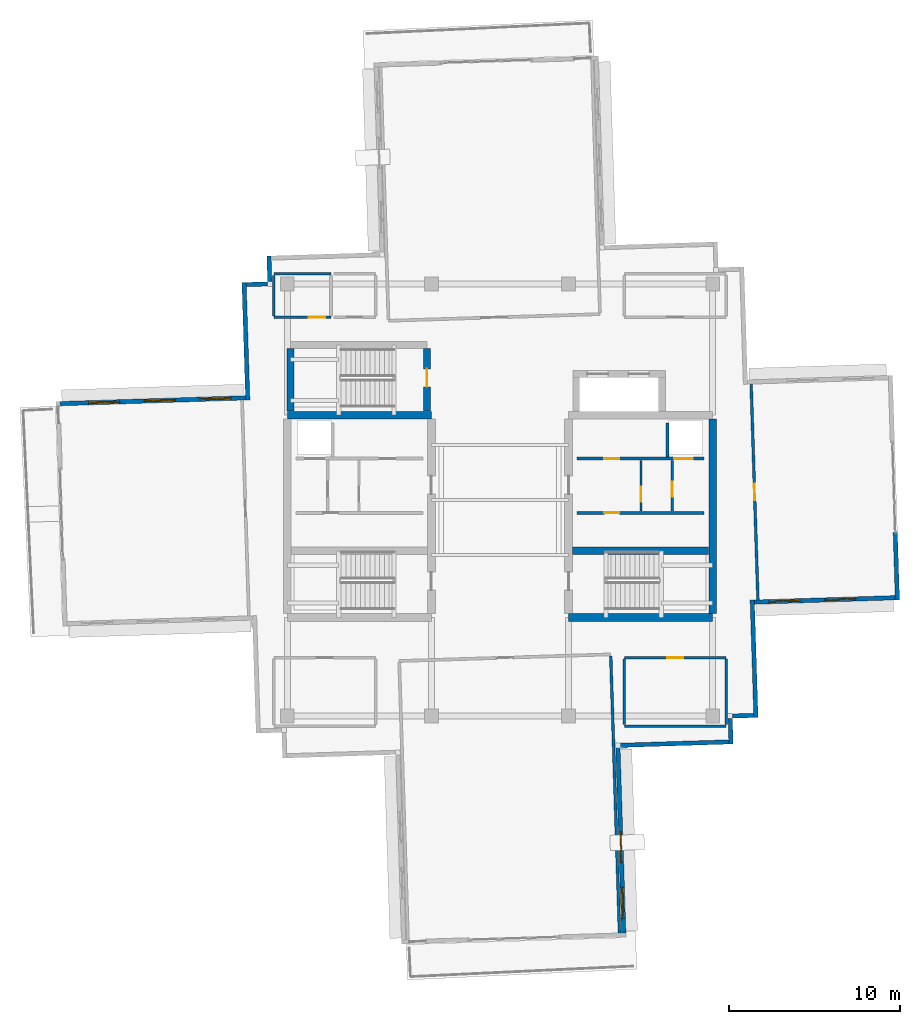
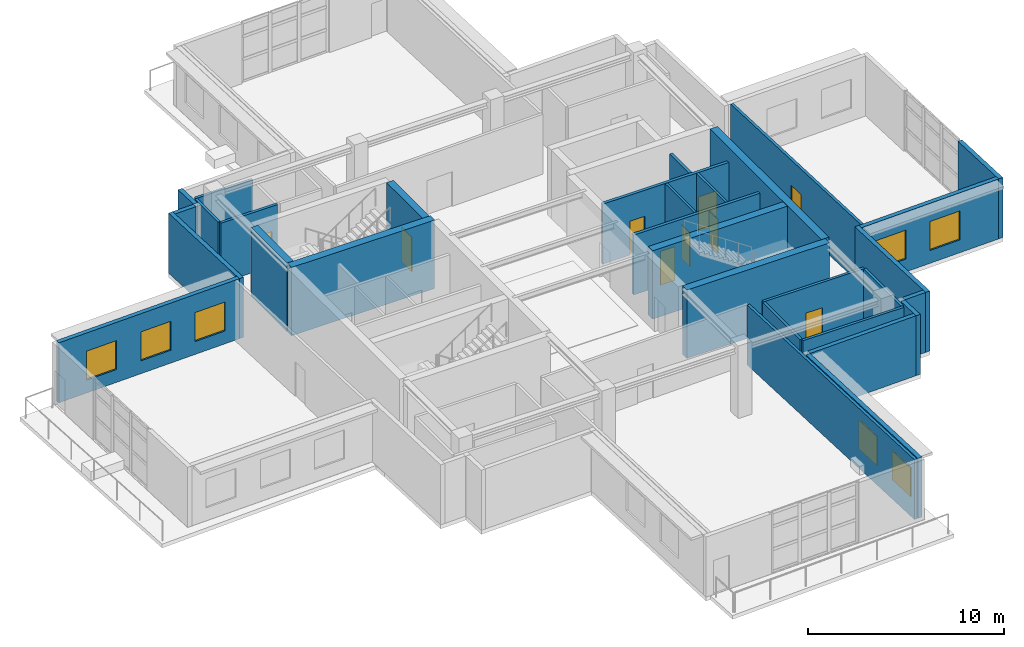
# One storey, part 11 of 18: 31 walls, 9 doors, 7 windows, 16 openings.
"""IFC4 building model written with IfcOpenShell, lengths in metres."""

from ifc_helpers import new_model, si_unit, direction, frame, frame_2d, origin, place, context, subcontext, project, spatial, rectangle, extrude, material, layer, layer_set, type_object, element, fill, save


model = new_model("IFC4")

# Units and contexts
model_context = context("Model", 3, precision=1e-05, world=origin(), true_north=direction((0.0, 1.0)))
body_context = subcontext(model_context, "Body", "Model", "MODEL_VIEW")
ifc_project = project(units=[si_unit("LENGTHUNIT", "METRE"), si_unit("AREAUNIT", "SQUARE_METRE"), si_unit("VOLUMEUNIT", "CUBIC_METRE"), si_unit("PLANEANGLEUNIT", "RADIAN"), si_unit("MASSUNIT", "GRAM", prefix="KILO")], contexts=[model_context])

# Site, building, storey
site_placement = place(None, origin())
site = spatial("IfcSite", under=ifc_project, at=site_placement, CompositionType="ELEMENT")
building_placement = place(site_placement, origin())
building = spatial("IfcBuilding", under=site, at=building_placement, Name="Qingluan Cross Belvedere", CompositionType="ELEMENT")
storey_placement = place(building_placement, frame((0.0, 0.0, 299.39990234375)))
storey = spatial("IfcBuildingStorey", under=building, at=storey_placement, Name="L74", CompositionType="ELEMENT", Elevation=299.39990234375)

# Walls
ifc_material_1 = material(Name="Concrete C50", Category="concrete")
ifc_layer_1 = layer(ifc_material_1, 0.449951171875, Name="CoreShearWall_450")
ifc_layer_set_1 = layer_set([ifc_layer_1], Name="Concrete C50")
wall_type_1 = type_object("IfcWallType", Name="CoreShearWall_450", PredefinedType="SHEAR", material=ifc_layer_set_1)
for number, where, z_axis, x_axis, name in (
    (1, (-12.39990234375, 4.949951171875, 0.0), (0.0, 0.0, 1.0), (1.0, 0.0, 0.0), "Split core W shear wall L74-N"),
    (2, (4.0, -6.85009765625, 0.0), (0.0, 0.0, 1.0), (1.0, 0.0, 0.0), "Split core E shear wall L74-S"),
):
    element("IfcWall", number, at=place(storey_placement, frame(where, z_axis=z_axis, x_axis=x_axis)), inside=storey, type_object=wall_type_1, Name=name, PredefinedType="SHEAR", context=body_context, shape_type="SweptSolid", body=[
        extrude(rectangle(XDim=8.39990234375, YDim=0.449951171875, at=frame_2d((4.199951171875, 0.0))), origin(), (0.0, 0.0, 1.0), 4.25),
    ])
wall_1_placement = place(storey_placement, frame((12.39990234375, -6.6201171875, 0.0), z_axis=(0.0, 0.0, 1.0), x_axis=(0.0, 1.0, 0.0)))
element("IfcWall", 3, at=wall_1_placement, inside=storey, type_object=wall_type_1, Name="Split core E shear wall L74-E", PredefinedType="SHEAR", context=body_context, shape_type="SweptSolid", body=[
    extrude(rectangle(XDim=11.340087890625, YDim=0.449951171875, at=frame_2d((5.669921875, 0.0))), origin(), (0.0, 0.0, 1.0), 4.25),
])
wall_2_placement = place(storey_placement, frame((4.22998046875, -2.9599609375, 0.0), z_axis=(0.0, 0.0, 1.0), x_axis=(1.0, 0.0, 0.0)))
element("IfcWall", 4, at=wall_2_placement, inside=storey, type_object=wall_type_1, Name="Split core E shear wall L74-M", PredefinedType="SHEAR", context=body_context, shape_type="SweptSolid", body=[
    extrude(rectangle(XDim=7.93994140625, YDim=0.449951171875, at=frame_2d((3.969970703125, 0.0))), origin(), (0.0, 0.0, 1.0), 4.25),
])
wall_3_placement = place(storey_placement, frame((-12.219970703125, 5.179931640625, 0.0), z_axis=(0.0, 0.0, 1.0), x_axis=(0.0, 1.0, 0.0)))
element("IfcWall", 5, at=wall_3_placement, inside=storey, type_object=wall_type_1, Name="Stair ST3 structural wall W L74", PredefinedType="SHEAR", context=body_context, shape_type="SweptSolid", body=[
    extrude(rectangle(XDim=3.655029296875, YDim=0.39990234375, at=frame_2d((1.82763671875, 0.0))), origin(), (0.0, 0.0, 1.0), 4.25),
])

# Wall, opening, door
wall_4_placement = place(storey_placement, frame((-4.260009765625, 5.179931640625, 0.0), z_axis=(0.0, 0.0, 1.0), x_axis=(0.0, 1.0, 0.0)))
wall_4 = element("IfcWall", 6, at=wall_4_placement, inside=storey, type_object=wall_type_1, Name="Stair ST3 structural wall E L74", PredefinedType="SHEAR", context=body_context, shape_type="SweptSolid", body=[
    extrude(rectangle(XDim=3.655029296875, YDim=0.39990234375, at=frame_2d((1.82763671875, 0.0))), origin(), (0.0, 0.0, 1.0), 4.25),
])
opening_1_placement = place(wall_4_placement, frame((1.419921875, 0.0, 0.0)))
opening_1 = element("IfcOpeningElement", 7, at=opening_1_placement, cuts=wall_4, Name="Opening FD-B11", PredefinedType="OPENING", context=body_context, shape_type="SweptSolid", body=[
    extrude(rectangle(XDim=1.050048828125, YDim=2.14990234375, at=frame_2d((0.52490234375, 1.074951171875))), frame((0.0, 0.2099609375, 0.0), z_axis=(0.0, -1.0, 0.0), x_axis=(1.0, 0.0, 0.0)), (0.0, 0.0, 1.0), 0.419921875),
])
ifc_material_2 = material(Name="Steel Class B smoke-seal fire door", Category="steel")
door_type_1 = type_object("IfcDoorType", Name="StairLobbyFireDoor_FDB", OperationType="NOTDEFINED", PredefinedType="DOOR", material=ifc_material_2)
door_1_placement = place(opening_1_placement, origin())
door_1 = element("IfcDoor", 8, at=door_1_placement, inside=storey, type_object=door_type_1, Name="Smoke-proof stair ST3 fire door L74", OperationType="SINGLE_SWING_RIGHT", OverallHeight=2.14990234375, OverallWidth=1.050048828125, PredefinedType="DOOR", context=body_context, shape_type="SweptSolid", body=[
    extrude(rectangle(XDim=1.050048828125, YDim=2.14990234375, at=frame_2d((0.52490234375, 1.074951171875))), frame((0.0, 0.02490234375, 0.0), z_axis=(0.0, -1.0, 0.0), x_axis=(1.0, 0.0, 0.0)), (0.0, 0.0, 1.0), 0.050048828125),
])
fill(opening_1, door_1)

ifc_material_3 = material(Name="Gypsum plasterboard on steel stud acoustic partition", Category="steel")
ifc_layer_2 = layer(ifc_material_3, 0.159912109375, Name="CorridorPartition_160")
ifc_layer_set_2 = layer_set([ifc_layer_2], Name="Gypsum plasterboard on steel stud acoustic partition")
wall_type_2 = type_object("IfcWallType", Name="CorridorPartition_160", PredefinedType="PARTITIONING", material=ifc_layer_set_2)
wall_5_placement = place(storey_placement, frame((10.050048828125, -0.652099609375, 0.0), z_axis=(0.0, 0.0, 1.0), x_axis=(0.0, 1.0, 0.0)))
wall_5 = element("IfcWall", 9, at=wall_5_placement, inside=storey, type_object=wall_type_2, Name="Partition L74:ev", PredefinedType="PARTITIONING", context=body_context, shape_type="SweptSolid", body=[
    extrude(rectangle(XDim=2.962158203125, YDim=0.139892578125, at=frame_2d((1.48095703125, 0.0))), origin(), (0.0, 0.0, 1.0), 3.72021484375),
])
opening_2_placement = place(wall_5_placement, frame((0.85009765625, 0.0, 0.0)))
opening_2 = element("IfcOpeningElement", 10, at=opening_2_placement, cuts=wall_5, Name="Opening FD-B10", PredefinedType="OPENING", context=body_context, shape_type="SweptSolid", body=[
    extrude(rectangle(XDim=0.8798828125, YDim=2.10009765625, at=frame_2d((0.43994140625, 1.050048828125))), frame((0.0, 0.079833984375, 0.0), z_axis=(0.0, -1.0, 0.0), x_axis=(1.0, 0.0, 0.0)), (0.0, 0.0, 1.0), 0.159912109375),
])
ifc_material_4 = material(Name="Steel Class B service fire door", Category="steel")
door_type_2 = type_object("IfcDoorType", Name="RiserServiceFireDoor_FDB", OperationType="NOTDEFINED", PredefinedType="DOOR", material=ifc_material_4)
door_2_placement = place(opening_2_placement, origin())
door_2 = element("IfcDoor", 11, at=door_2_placement, inside=storey, type_object=door_type_2, Name="Service closet inner door L74", OperationType="SINGLE_SWING_RIGHT", OverallHeight=2.10009765625, OverallWidth=0.8798828125, PredefinedType="DOOR", context=body_context, shape_type="SweptSolid", body=[
    extrude(rectangle(XDim=0.8798828125, YDim=2.10009765625, at=frame_2d((0.43994140625, 1.050048828125))), frame((0.0, 0.02490234375, 0.0), z_axis=(0.0, -1.0, 0.0), x_axis=(1.0, 0.0, 0.0)), (0.0, 0.0, 1.0), 0.050048828125),
])
fill(opening_2, door_2)

# Wall
wall_6_placement = place(storey_placement, frame((6.96630859375, -25.240478515625, 0.0), z_axis=(0.0, 0.0, 1.0), x_axis=(-0.031420563501, 0.999506252201, 0.0)))
element("IfcWall", 12, at=wall_6_placement, inside=storey, type_object=wall_type_2, Name="Partition L74:sky_bar_s:E", PredefinedType="PARTITIONING", context=body_context, shape_type="SweptSolid", body=[
    extrude(rectangle(XDim=16.161865234375, YDim=0.159912109375, at=frame_2d((8.0810546875, 0.0))), origin(), (0.0, 0.0, 1.0), 3.72021484375),
])

# Wall, opening, door
wall_7_placement = place(storey_placement, frame((15.040283203125, -5.8173828125, 0.0), z_axis=(0.0, 0.0, 1.0), x_axis=(-0.031415998373, 0.999506395701, 0.0)))
wall_7 = element("IfcWall", 13, at=wall_7_placement, inside=storey, type_object=wall_type_2, Name="Partition L74:vip_salon:W", PredefinedType="PARTITIONING", context=body_context, shape_type="SweptSolid", body=[
    extrude(rectangle(XDim=12.57373046875, YDim=0.159912109375, at=frame_2d((6.286865234375, 0.0))), origin(), (0.0, 0.0, 1.0), 3.72021484375),
])
opening_3_placement = place(wall_7_placement, frame((5.806884765625, 0.0, 0.0)))
opening_3 = element("IfcOpeningElement", 14, at=opening_3_placement, cuts=wall_7, Name="Opening GD-10", PredefinedType="OPENING", context=body_context, shape_type="SweptSolid", body=[
    extrude(rectangle(XDim=0.9599609375, YDim=2.14990234375, at=frame_2d((0.47998046875, 1.074951171875))), frame((0.0, 0.08984375, 0.0), z_axis=(0.0, -1.0, 0.0), x_axis=(1.0, 0.0, 0.0)), (0.0, 0.0, 1.0), 0.179931640625),
])
ifc_material_5 = material(Name="Timber oak fire-rated acoustic guestroom door", Category="wood")
door_type_3 = type_object("IfcDoorType", Name="GuestEntryDoor_FD60", OperationType="NOTDEFINED", PredefinedType="DOOR", material=ifc_material_5)
door_3_placement = place(opening_3_placement, origin())
door_3 = element("IfcDoor", 15, at=door_3_placement, inside=storey, type_object=door_type_3, Name="Private sky reception salon L74 door", OperationType="SINGLE_SWING_LEFT", OverallHeight=2.14990234375, OverallWidth=0.9599609375, PredefinedType="DOOR", context=body_context, shape_type="SweptSolid", body=[
    extrude(rectangle(XDim=0.9599609375, YDim=2.14990234375, at=frame_2d((0.47998046875, 1.074951171875))), frame((0.0, 0.02490234375, 0.0), z_axis=(0.0, -1.0, 0.0), x_axis=(1.0, 0.0, 0.0)), (0.0, 0.0, 1.0), 0.050048828125),
])
fill(opening_3, door_3)

wall_8_placement = place(storey_placement, frame((-13.18994140625, 10.64990234375, 0.0), z_axis=(0.0, 0.0, 1.0), x_axis=(1.0, 0.0, 0.0)))
wall_8 = element("IfcWall", 16, at=wall_8_placement, inside=storey, type_object=wall_type_2, Name="Partition L74:crown_wc:S", PredefinedType="PARTITIONING", context=body_context, shape_type="SweptSolid", body=[
    extrude(rectangle(XDim=3.33984375, YDim=0.159912109375, at=frame_2d((1.669921875, 0.0))), origin(), (0.0, 0.0, 1.0), 3.72021484375),
])
opening_4_placement = place(wall_8_placement, frame((2.030029296875, 0.0, 0.0)))
opening_4 = element("IfcOpeningElement", 17, at=opening_4_placement, cuts=wall_8, Name="Opening GD-10", PredefinedType="OPENING", context=body_context, shape_type="SweptSolid", body=[
    extrude(rectangle(XDim=0.9599609375, YDim=2.14990234375, at=frame_2d((0.47998046875, 1.074951171875))), frame((0.0, 0.08984375, 0.0), z_axis=(0.0, -1.0, 0.0), x_axis=(1.0, 0.0, 0.0)), (0.0, 0.0, 1.0), 0.179931640625),
])
door_4_placement = place(opening_4_placement, origin())
door_4 = element("IfcDoor", 18, at=door_4_placement, inside=storey, type_object=door_type_3, Name="Public washrooms L74 door", OperationType="SINGLE_SWING_LEFT", OverallHeight=2.14990234375, OverallWidth=0.9599609375, PredefinedType="DOOR", context=body_context, shape_type="SweptSolid", body=[
    extrude(rectangle(XDim=0.9599609375, YDim=2.14990234375, at=frame_2d((0.47998046875, 1.074951171875))), frame((0.0, 0.02490234375, 0.0), z_axis=(0.0, -1.0, 0.0), x_axis=(1.0, 0.0, 0.0)), (0.0, 0.0, 1.0), 0.050048828125),
])
fill(opening_4, door_4)

# Walls
wall_9_placement = place(storey_placement, frame((-13.18994140625, 13.18994140625, 0.0), z_axis=(0.0, 0.0, 1.0), x_axis=(1.0, 0.0, 0.0)))
element("IfcWall", 19, at=wall_9_placement, inside=storey, type_object=wall_type_2, Name="Partition L74:crown_wc:N", PredefinedType="PARTITIONING", context=body_context, shape_type="SweptSolid", body=[
    extrude(rectangle(XDim=3.33984375, YDim=0.159912109375, at=frame_2d((1.669921875, 0.0))), origin(), (0.0, 0.0, 1.0), 3.72021484375),
])
wall_10_placement = place(storey_placement, frame((-13.18994140625, 10.735107421875, 0.0), z_axis=(0.0, 0.0, 1.0), x_axis=(0.0, 1.0, 0.0)))
element("IfcWall", 20, at=wall_10_placement, inside=storey, type_object=wall_type_2, Name="Partition L74:crown_wc:W", PredefinedType="PARTITIONING", context=body_context, shape_type="SweptSolid", body=[
    extrude(rectangle(XDim=2.369873046875, YDim=0.159912109375, at=frame_2d((1.18505859375, 0.0))), origin(), (0.0, 0.0, 1.0), 3.72021484375),
])
wall_11_placement = place(storey_placement, frame((7.25, -13.18994140625, 0.0), z_axis=(0.0, 0.0, 1.0), x_axis=(1.0, 0.0, 0.0)))
element("IfcWall", 21, at=wall_11_placement, inside=storey, type_object=wall_type_2, Name="Partition L74:crown_se:S", PredefinedType="PARTITIONING", context=body_context, shape_type="SweptSolid", body=[
    extrude(rectangle(XDim=5.93994140625, YDim=0.159912109375, at=frame_2d((2.969970703125, 0.0))), origin(), (0.0, 0.0, 1.0), 3.72021484375),
])

# Wall, opening, door
wall_12_placement = place(storey_placement, frame((7.25, -9.199951171875, 0.0), z_axis=(0.0, 0.0, 1.0), x_axis=(1.0, 0.0, 0.0)))
wall_12 = element("IfcWall", 22, at=wall_12_placement, inside=storey, type_object=wall_type_2, Name="Partition L74:crown_se:N", PredefinedType="PARTITIONING", context=body_context, shape_type="SweptSolid", body=[
    extrude(rectangle(XDim=5.93994140625, YDim=0.159912109375, at=frame_2d((2.969970703125, 0.0))), origin(), (0.0, 0.0, 1.0), 3.72021484375),
])
opening_5_placement = place(wall_12_placement, frame((2.489990234375, 0.0, 0.0)))
opening_5 = element("IfcOpeningElement", 23, at=opening_5_placement, cuts=wall_12, Name="Opening GD-10", PredefinedType="OPENING", context=body_context, shape_type="SweptSolid", body=[
    extrude(rectangle(XDim=0.9599609375, YDim=2.14990234375, at=frame_2d((0.47998046875, 1.074951171875))), frame((0.0, 0.08984375, 0.0), z_axis=(0.0, -1.0, 0.0), x_axis=(1.0, 0.0, 0.0)), (0.0, 0.0, 1.0), 0.179931640625),
])
door_5_placement = place(opening_5_placement, origin())
door_5 = element("IfcDoor", 24, at=door_5_placement, inside=storey, type_object=door_type_3, Name="VIP belvedere parlor L74 door", OperationType="SINGLE_SWING_LEFT", OverallHeight=2.14990234375, OverallWidth=0.9599609375, PredefinedType="DOOR", context=body_context, shape_type="SweptSolid", body=[
    extrude(rectangle(XDim=0.9599609375, YDim=2.14990234375, at=frame_2d((0.47998046875, 1.074951171875))), frame((0.0, 0.02490234375, 0.0), z_axis=(0.0, -1.0, 0.0), x_axis=(1.0, 0.0, 0.0)), (0.0, 0.0, 1.0), 0.050048828125),
])
fill(opening_5, door_5)

# Walls
for number, where, z_axis, x_axis, name in (
    (25, (7.25, -13.10498046875, 0.0), (0.0, 0.0, 1.0), (0.0, 1.0, 0.0), "Partition L74:crown_se:W"),
    (26, (13.18994140625, -13.10498046875, 0.0), (0.0, 0.0, 1.0), (0.0, 1.0, 0.0), "Partition L74:crown_se:E"),
):
    element("IfcWall", number, at=place(storey_placement, frame(where, z_axis=z_axis, x_axis=x_axis)), inside=storey, type_object=wall_type_2, Name=name, PredefinedType="PARTITIONING", context=body_context, shape_type="SweptSolid", body=[
        extrude(rectangle(XDim=3.820068359375, YDim=0.159912109375, at=frame_2d((1.91015625, 0.0))), origin(), (0.0, 0.0, 1.0), 3.72021484375),
    ])

# Wall, openings, windows
ifc_material_6 = material(Name="Precast concrete C45", Category="concrete")
ifc_layer_3 = layer(ifc_material_6, 0.25, Name="PrecastCrownWall_250")
ifc_layer_set_3 = layer_set([ifc_layer_3], Name="Precast concrete C45")
wall_type_3 = type_object("IfcWallType", Name="PrecastCrownWall_250", PredefinedType="STANDARD", material=ifc_layer_set_3)
wall_13_placement = place(storey_placement, frame((14.83935546875, -5.956787109375, 0.0), z_axis=(0.0, 0.0, 1.0), x_axis=(0.99950684008, 0.031401857168, 0.0)))
wall_13 = element("IfcWall", 27, at=wall_13_placement, inside=storey, type_object=wall_type_3, Name="Facade wall L74-EA", PredefinedType="STANDARD", context=body_context, shape_type="SweptSolid", body=[
    extrude(rectangle(XDim=8.210205078125, YDim=0.25, at=frame_2d((4.10498046875, 0.0))), origin(), (0.0, 0.0, 1.0), 3.72998046875),
])
opening_6_placement = place(wall_13_placement, frame((0.85009765625, 0.0, 0.800048828125)))
opening_6 = element("IfcOpeningElement", 28, at=opening_6_placement, cuts=wall_13, Name="Opening W-05", PredefinedType="OPENING", context=body_context, shape_type="SweptSolid", body=[
    extrude(rectangle(XDim=1.800048828125, YDim=1.800048828125, at=frame_2d((0.89990234375, 0.89990234375))), frame((0.0, 0.135009765625, 0.0), z_axis=(0.0, -1.0, 0.0), x_axis=(1.0, 0.0, 0.0)), (0.0, 0.0, 1.0), 0.27001953125),
])
opening_7_placement = place(wall_13_placement, frame((4.10009765625, 0.0, 0.800048828125)))
opening_7 = element("IfcOpeningElement", 29, at=opening_7_placement, cuts=wall_13, Name="Opening W-05", PredefinedType="OPENING", context=body_context, shape_type="SweptSolid", body=[
    extrude(rectangle(XDim=1.800048828125, YDim=1.800048828125, at=frame_2d((0.89990234375, 0.89990234375))), frame((0.0, 0.135009765625, 0.0), z_axis=(0.0, -1.0, 0.0), x_axis=(1.0, 0.0, 0.0)), (0.0, 0.0, 1.0), 0.27001953125),
])
ifc_material_7 = material(Name="Thermally broken triple Low-E glass in aluminium frame", Category="aluminium")
window_type = type_object("IfcWindowType", Name="CrownBelvedereWin_1800x1800", PartitioningType="SINGLE_PANEL", PredefinedType="WINDOW", material=ifc_material_7)
window_1_placement = place(opening_6_placement, origin())
window_1 = element("IfcWindow", 30, at=window_1_placement, inside=storey, type_object=window_type, Name="Ribbon window L74-EA-1", OverallHeight=1.800048828125, OverallWidth=1.800048828125, PartitioningType="SINGLE_PANEL", PredefinedType="WINDOW", context=body_context, shape_type="SweptSolid", body=[
    extrude(rectangle(XDim=1.800048828125, YDim=1.800048828125, at=frame_2d((0.89990234375, 0.89990234375))), frame((0.0, 0.030029296875, 0.0), z_axis=(0.0, -1.0, 0.0), x_axis=(1.0, 0.0, 0.0)), (0.0, 0.0, 1.0), 0.06005859375),
])
fill(opening_6, window_1)
window_2_placement = place(opening_7_placement, origin())
window_2 = element("IfcWindow", 31, at=window_2_placement, inside=storey, type_object=window_type, Name="Ribbon window L74-EA-2", OverallHeight=1.800048828125, OverallWidth=1.800048828125, PartitioningType="SINGLE_PANEL", PredefinedType="WINDOW", context=body_context, shape_type="SweptSolid", body=[
    extrude(rectangle(XDim=1.800048828125, YDim=1.800048828125, at=frame_2d((0.89990234375, 0.89990234375))), frame((0.0, 0.030029296875, 0.0), z_axis=(0.0, -1.0, 0.0), x_axis=(1.0, 0.0, 0.0)), (0.0, 0.0, 1.0), 0.06005859375),
])
fill(opening_7, window_2)

# Wall
wall_14_placement = place(storey_placement, frame((23.17431640625, -5.820068359375, 0.0), z_axis=(0.0, 0.0, 1.0), x_axis=(-0.031457956613, 0.999505076008, 0.0)))
element("IfcWall", 32, at=wall_14_placement, inside=storey, type_object=wall_type_3, Name="Terrace portal jamb wall L74-E1", PredefinedType="STANDARD", context=body_context, shape_type="SweptSolid", body=[
    extrude(rectangle(XDim=3.927001953125, YDim=0.25, at=frame_2d((1.96337890625, 0.0))), origin(), (0.0, 0.0, 1.0), 3.72998046875),
])

# Wall, openings, windows
wall_15_placement = place(storey_placement, frame((-14.83935546875, 5.956787109375, 0.0), z_axis=(0.0, 0.0, 1.0), x_axis=(-0.999506419134, -0.031415252825, 0.0)))
wall_15 = element("IfcWall", 33, at=wall_15_placement, inside=storey, type_object=wall_type_3, Name="Facade wall L74-WA", PredefinedType="STANDARD", context=body_context, shape_type="SweptSolid", body=[
    extrude(rectangle(XDim=10.81005859375, YDim=0.25, at=frame_2d((5.405029296875, 0.0))), origin(), (0.0, 0.0, 1.0), 3.72998046875),
])
opening_8_placement = place(wall_15_placement, frame((0.85009765625, 0.0, 0.800048828125)))
opening_8 = element("IfcOpeningElement", 34, at=opening_8_placement, cuts=wall_15, Name="Opening W-05", PredefinedType="OPENING", context=body_context, shape_type="SweptSolid", body=[
    extrude(rectangle(XDim=1.800048828125, YDim=1.800048828125, at=frame_2d((0.89990234375, 0.89990234375))), frame((0.0, 0.135009765625, 0.0), z_axis=(0.0, -1.0, 0.0), x_axis=(1.0, 0.0, 0.0)), (0.0, 0.0, 1.0), 0.27001953125),
])
opening_9_placement = place(wall_15_placement, frame((4.10009765625, 0.0, 0.800048828125)))
opening_9 = element("IfcOpeningElement", 35, at=opening_9_placement, cuts=wall_15, Name="Opening W-05", PredefinedType="OPENING", context=body_context, shape_type="SweptSolid", body=[
    extrude(rectangle(XDim=1.800048828125, YDim=1.800048828125, at=frame_2d((0.89990234375, 0.89990234375))), frame((0.0, 0.135009765625, 0.0), z_axis=(0.0, -1.0, 0.0), x_axis=(1.0, 0.0, 0.0)), (0.0, 0.0, 1.0), 0.27001953125),
])
opening_10_placement = place(wall_15_placement, frame((7.35009765625, 0.0, 0.800048828125)))
opening_10 = element("IfcOpeningElement", 36, at=opening_10_placement, cuts=wall_15, Name="Opening W-05", PredefinedType="OPENING", context=body_context, shape_type="SweptSolid", body=[
    extrude(rectangle(XDim=1.800048828125, YDim=1.800048828125, at=frame_2d((0.89990234375, 0.89990234375))), frame((0.0, 0.135009765625, 0.0), z_axis=(0.0, -1.0, 0.0), x_axis=(1.0, 0.0, 0.0)), (0.0, 0.0, 1.0), 0.27001953125),
])
window_3_placement = place(opening_8_placement, origin())
window_3 = element("IfcWindow", 37, at=window_3_placement, inside=storey, type_object=window_type, Name="Ribbon window L74-WA-1", OverallHeight=1.800048828125, OverallWidth=1.800048828125, PartitioningType="SINGLE_PANEL", PredefinedType="WINDOW", context=body_context, shape_type="SweptSolid", body=[
    extrude(rectangle(XDim=1.800048828125, YDim=1.800048828125, at=frame_2d((0.89990234375, 0.89990234375))), frame((0.0, 0.030029296875, 0.0), z_axis=(0.0, -1.0, 0.0), x_axis=(1.0, 0.0, 0.0)), (0.0, 0.0, 1.0), 0.06005859375),
])
fill(opening_8, window_3)
window_4_placement = place(opening_9_placement, origin())
window_4 = element("IfcWindow", 38, at=window_4_placement, inside=storey, type_object=window_type, Name="Ribbon window L74-WA-2", OverallHeight=1.800048828125, OverallWidth=1.800048828125, PartitioningType="SINGLE_PANEL", PredefinedType="WINDOW", context=body_context, shape_type="SweptSolid", body=[
    extrude(rectangle(XDim=1.800048828125, YDim=1.800048828125, at=frame_2d((0.89990234375, 0.89990234375))), frame((0.0, 0.030029296875, 0.0), z_axis=(0.0, -1.0, 0.0), x_axis=(1.0, 0.0, 0.0)), (0.0, 0.0, 1.0), 0.06005859375),
])
fill(opening_9, window_4)
window_5_placement = place(opening_10_placement, origin())
window_5 = element("IfcWindow", 39, at=window_5_placement, inside=storey, type_object=window_type, Name="Ribbon window L74-WA-3", OverallHeight=1.800048828125, OverallWidth=1.800048828125, PartitioningType="SINGLE_PANEL", PredefinedType="WINDOW", context=body_context, shape_type="SweptSolid", body=[
    extrude(rectangle(XDim=1.800048828125, YDim=1.800048828125, at=frame_2d((0.89990234375, 0.89990234375))), frame((0.0, 0.030029296875, 0.0), z_axis=(0.0, -1.0, 0.0), x_axis=(1.0, 0.0, 0.0)), (0.0, 0.0, 1.0), 0.06005859375),
])
fill(opening_10, window_5)

wall_16_placement = place(storey_placement, frame((7.21630859375, -25.24072265625, 0.0), z_axis=(0.0, 0.0, 1.0), x_axis=(-0.031415252825, 0.999506419134, 0.0)))
wall_16 = element("IfcWall", 40, at=wall_16_placement, inside=storey, type_object=wall_type_3, Name="Facade wall L74-SB", PredefinedType="STANDARD", context=body_context, shape_type="SweptSolid", body=[
    extrude(rectangle(XDim=10.81005859375, YDim=0.25, at=frame_2d((5.405029296875, 0.0))), origin(), (0.0, 0.0, 1.0), 3.72998046875),
])
opening_11_placement = place(wall_16_placement, frame((0.85009765625, 0.0, 0.800048828125)))
opening_11 = element("IfcOpeningElement", 41, at=opening_11_placement, cuts=wall_16, Name="Opening W-05", PredefinedType="OPENING", context=body_context, shape_type="SweptSolid", body=[
    extrude(rectangle(XDim=1.800048828125, YDim=1.800048828125, at=frame_2d((0.89990234375, 0.89990234375))), frame((0.0, 0.135009765625, 0.0), z_axis=(0.0, -1.0, 0.0), x_axis=(1.0, 0.0, 0.0)), (0.0, 0.0, 1.0), 0.27001953125),
])
opening_12_placement = place(wall_16_placement, frame((4.10009765625, 0.0, 0.800048828125)))
opening_12 = element("IfcOpeningElement", 42, at=opening_12_placement, cuts=wall_16, Name="Opening W-05", PredefinedType="OPENING", context=body_context, shape_type="SweptSolid", body=[
    extrude(rectangle(XDim=1.800048828125, YDim=1.800048828125, at=frame_2d((0.89990234375, 0.89990234375))), frame((0.0, 0.135009765625, 0.0), z_axis=(0.0, -1.0, 0.0), x_axis=(1.0, 0.0, 0.0)), (0.0, 0.0, 1.0), 0.27001953125),
])
window_6_placement = place(opening_11_placement, origin())
window_6 = element("IfcWindow", 43, at=window_6_placement, inside=storey, type_object=window_type, Name="Ribbon window L74-SB-1", OverallHeight=1.800048828125, OverallWidth=1.800048828125, PartitioningType="SINGLE_PANEL", PredefinedType="WINDOW", context=body_context, shape_type="SweptSolid", body=[
    extrude(rectangle(XDim=1.800048828125, YDim=1.800048828125, at=frame_2d((0.89990234375, 0.89990234375))), frame((0.0, 0.030029296875, 0.0), z_axis=(0.0, -1.0, 0.0), x_axis=(1.0, 0.0, 0.0)), (0.0, 0.0, 1.0), 0.06005859375),
])
fill(opening_11, window_6)
window_7_placement = place(opening_12_placement, origin())
window_7 = element("IfcWindow", 44, at=window_7_placement, inside=storey, type_object=window_type, Name="Ribbon window L74-SB-2", OverallHeight=1.800048828125, OverallWidth=1.800048828125, PartitioningType="SINGLE_PANEL", PredefinedType="WINDOW", context=body_context, shape_type="SweptSolid", body=[
    extrude(rectangle(XDim=1.800048828125, YDim=1.800048828125, at=frame_2d((0.89990234375, 0.89990234375))), frame((0.0, 0.030029296875, 0.0), z_axis=(0.0, -1.0, 0.0), x_axis=(1.0, 0.0, 0.0)), (0.0, 0.0, 1.0), 0.06005859375),
])
fill(opening_12, window_7)

# Walls
wall_17_placement = place(storey_placement, frame((-14.710693359375, 5.835693359375, 0.0), z_axis=(0.0, 0.0, 1.0), x_axis=(-0.031399429229, 0.999506916356, 0.0)))
element("IfcWall", 45, at=wall_17_placement, inside=storey, type_object=wall_type_3, Name="Corner wall L74-NW1", PredefinedType="STANDARD", context=body_context, shape_type="SweptSolid", body=[
    extrude(rectangle(XDim=6.85009765625, YDim=0.25, at=frame_2d((3.425048828125, 0.0))), origin(), (0.0, 0.0, 1.0), 3.72998046875),
])
wall_18_placement = place(storey_placement, frame((-14.796875, 12.561279296875, 0.0), z_axis=(0.0, 0.0, 1.0), x_axis=(0.999505383482, 0.0314481858, 0.0)))
element("IfcWall", 46, at=wall_18_placement, inside=storey, type_object=wall_type_3, Name="Corner wall L74-NW2", PredefinedType="STANDARD", context=body_context, shape_type="SweptSolid", body=[
    extrude(rectangle(XDim=1.25, YDim=0.25, at=frame_2d((0.625, 0.0))), origin(), (0.0, 0.0, 1.0), 3.72998046875),
])
wall_19_placement = place(storey_placement, frame((-13.426513671875, 12.7294921875, 0.0), z_axis=(0.0, 0.0, 1.0), x_axis=(-0.031412596484, 0.999506502621, 0.0)))
element("IfcWall", 47, at=wall_19_placement, inside=storey, type_object=wall_type_3, Name="Corner wall L74-NW3", PredefinedType="STANDARD", context=body_context, shape_type="SweptSolid", body=[
    extrude(rectangle(XDim=1.5, YDim=0.25, at=frame_2d((0.75, 0.0))), origin(), (0.0, 0.0, 1.0), 3.72998046875),
])
wall_20_placement = place(storey_placement, frame((14.710693359375, -5.835693359375, 0.0), z_axis=(0.0, 0.0, 1.0), x_axis=(0.031399429229, -0.999506916356, 0.0)))
element("IfcWall", 48, at=wall_20_placement, inside=storey, type_object=wall_type_3, Name="Corner wall L74-SE1", PredefinedType="STANDARD", context=body_context, shape_type="SweptSolid", body=[
    extrude(rectangle(XDim=6.85009765625, YDim=0.25, at=frame_2d((3.425048828125, 0.0))), origin(), (0.0, 0.0, 1.0), 3.72998046875),
])
wall_21_placement = place(storey_placement, frame((14.796875, -12.561279296875, 0.0), z_axis=(0.0, 0.0, 1.0), x_axis=(-0.999505383482, -0.0314481858, 0.0)))
element("IfcWall", 49, at=wall_21_placement, inside=storey, type_object=wall_type_3, Name="Corner wall L74-SE2", PredefinedType="STANDARD", context=body_context, shape_type="SweptSolid", body=[
    extrude(rectangle(XDim=1.25, YDim=0.25, at=frame_2d((0.625, 0.0))), origin(), (0.0, 0.0, 1.0), 3.72998046875),
])
wall_22_placement = place(storey_placement, frame((13.426513671875, -12.7294921875, 0.0), z_axis=(0.0, 0.0, 1.0), x_axis=(0.031412596484, -0.999506502621, 0.0)))
element("IfcWall", 50, at=wall_22_placement, inside=storey, type_object=wall_type_3, Name="Corner wall L74-SE3", PredefinedType="STANDARD", context=body_context, shape_type="SweptSolid", body=[
    extrude(rectangle(XDim=1.5, YDim=0.25, at=frame_2d((0.75, 0.0))), origin(), (0.0, 0.0, 1.0), 3.72998046875),
])
wall_23_placement = place(storey_placement, frame((13.3447265625, -14.10791015625, 0.0), z_axis=(0.0, 0.0, 1.0), x_axis=(-0.999506546651, -0.031411195469, 0.0)))
element("IfcWall", 51, at=wall_23_placement, inside=storey, type_object=wall_type_3, Name="Corner wall L74-SE4", PredefinedType="STANDARD", context=body_context, shape_type="SweptSolid", body=[
    extrude(rectangle(XDim=6.35009765625, YDim=0.25, at=frame_2d((3.175048828125, 0.0))), origin(), (0.0, 0.0, 1.0), 3.72998046875),
])

# Wall, openings, doors
ifc_material_8 = material(Name="Concrete C40", Category="concrete")
ifc_layer_4 = layer(ifc_material_8, 0.219970703125, Name="ShaftEnclosureWall_250")
ifc_layer_set_4 = layer_set([ifc_layer_4], Name="Concrete C40")
wall_type_4 = type_object("IfcWallType", Name="ShaftEnclosureWall_250", PredefinedType="SOLIDWALL", material=ifc_layer_set_4)
wall_24_placement = place(storey_placement, frame((4.47998046875, 2.409912109375, 0.0), z_axis=(0.0, 0.0, 1.0), x_axis=(1.0, 0.0, 0.0)))
wall_24 = element("IfcWall", 52, at=wall_24_placement, inside=storey, type_object=wall_type_4, Name="Core-E north hoistway wall L74", PredefinedType="SOLIDWALL", context=body_context, shape_type="SweptSolid", body=[
    extrude(rectangle(XDim=7.419921875, YDim=0.179931640625, at=frame_2d((3.7099609375, 0.0))), origin(), (0.0, 0.0, 1.0), 3.72021484375),
])
opening_13_placement = place(wall_24_placement, frame((5.669921875, 0.0, 0.0)))
opening_13 = element("IfcOpeningElement", 53, at=opening_13_placement, cuts=wall_24, Name="Opening LD-11", PredefinedType="OPENING", context=body_context, shape_type="SweptSolid", body=[
    extrude(rectangle(XDim=1.10009765625, YDim=2.14990234375, at=frame_2d((0.550048828125, 1.074951171875))), frame((0.0, 0.099853515625, 0.0), z_axis=(0.0, -1.0, 0.0), x_axis=(1.0, 0.0, 0.0)), (0.0, 0.0, 1.0), 0.199951171875),
])
opening_14_placement = place(wall_24_placement, frame((1.60009765625, 0.0, 0.0)))
opening_14 = element("IfcOpeningElement", 54, at=opening_14_placement, cuts=wall_24, Name="Opening FD-B10", PredefinedType="OPENING", context=body_context, shape_type="SweptSolid", body=[
    extrude(rectangle(XDim=0.8798828125, YDim=2.10009765625, at=frame_2d((0.43994140625, 1.050048828125))), frame((0.0, 0.099853515625, 0.0), z_axis=(0.0, -1.0, 0.0), x_axis=(1.0, 0.0, 0.0)), (0.0, 0.0, 1.0), 0.199951171875),
])
ifc_material_9 = material(Name="Brushed stainless steel centre-opening lift landing door", Category="steel")
door_type_4 = type_object("IfcDoorType", Name="LiftLandingSlidingDoor_1100", OperationType="DOUBLE_DOOR_SLIDING", PredefinedType="DOOR", material=ifc_material_9)
door_6_placement = place(opening_13_placement, origin())
door_6 = element("IfcDoor", 55, at=door_6_placement, inside=storey, type_object=door_type_4, Name="Lift landing sliding door FL2 L74", OperationType="DOUBLE_DOOR_SLIDING", OverallHeight=2.14990234375, OverallWidth=1.10009765625, PredefinedType="DOOR", context=body_context, shape_type="SweptSolid", body=[
    extrude(rectangle(XDim=1.10009765625, YDim=2.14990234375, at=frame_2d((0.550048828125, 1.074951171875))), frame((0.0, 0.02490234375, 0.0), z_axis=(0.0, -1.0, 0.0), x_axis=(1.0, 0.0, 0.0)), (0.0, 0.0, 1.0), 0.050048828125),
])
fill(opening_13, door_6)
door_7_placement = place(opening_14_placement, origin())
door_7 = element("IfcDoor", 56, at=door_7_placement, inside=storey, type_object=door_type_2, Name="Pantry room door E L74", OperationType="SINGLE_SWING_RIGHT", OverallHeight=2.10009765625, OverallWidth=0.8798828125, PredefinedType="DOOR", context=body_context, shape_type="SweptSolid", body=[
    extrude(rectangle(XDim=0.8798828125, YDim=2.10009765625, at=frame_2d((0.43994140625, 1.050048828125))), frame((0.0, 0.02490234375, 0.0), z_axis=(0.0, -1.0, 0.0), x_axis=(1.0, 0.0, 0.0)), (0.0, 0.0, 1.0), 0.050048828125),
])
fill(opening_14, door_7)

# Wall, opening, door
wall_25_placement = place(storey_placement, frame((4.47998046875, -0.75, 0.0), z_axis=(0.0, 0.0, 1.0), x_axis=(1.0, 0.0, 0.0)))
wall_25 = element("IfcWall", 57, at=wall_25_placement, inside=storey, type_object=wall_type_4, Name="Core-E mid hoistway wall L74", PredefinedType="SOLIDWALL", context=body_context, shape_type="SweptSolid", body=[
    extrude(rectangle(XDim=7.419921875, YDim=0.179931640625, at=frame_2d((3.7099609375, 0.0))), origin(), (0.0, 0.0, 1.0), 3.72021484375),
])
opening_15_placement = place(wall_25_placement, frame((1.60009765625, 0.0, 0.0)))
opening_15 = element("IfcOpeningElement", 58, at=opening_15_placement, cuts=wall_25, Name="Opening FD-B10", PredefinedType="OPENING", context=body_context, shape_type="SweptSolid", body=[
    extrude(rectangle(XDim=0.8798828125, YDim=2.10009765625, at=frame_2d((0.43994140625, 1.050048828125))), frame((0.0, 0.099853515625, 0.0), z_axis=(0.0, -1.0, 0.0), x_axis=(1.0, 0.0, 0.0)), (0.0, 0.0, 1.0), 0.199951171875),
])
door_8_placement = place(opening_15_placement, origin())
door_8 = element("IfcDoor", 59, at=door_8_placement, inside=storey, type_object=door_type_2, Name="Upper-zone linen store door L74", OperationType="SINGLE_SWING_RIGHT", OverallHeight=2.10009765625, OverallWidth=0.8798828125, PredefinedType="DOOR", context=body_context, shape_type="SweptSolid", body=[
    extrude(rectangle(XDim=0.8798828125, YDim=2.10009765625, at=frame_2d((0.43994140625, 1.050048828125))), frame((0.0, 0.02490234375, 0.0), z_axis=(0.0, -1.0, 0.0), x_axis=(1.0, 0.0, 0.0)), (0.0, 0.0, 1.0), 0.050048828125),
])
fill(opening_15, door_8)

# Wall
wall_26_placement = place(storey_placement, frame((9.760009765625, 2.5, 0.0), z_axis=(0.0, 0.0, 1.0), x_axis=(0.0, 1.0, 0.0)))
element("IfcWall", 60, at=wall_26_placement, inside=storey, type_object=wall_type_4, Name="Hoistway enclosure divider FL2W L74", PredefinedType="SOLIDWALL", context=body_context, shape_type="SweptSolid", body=[
    extrude(rectangle(XDim=1.989990234375, YDim=0.179931640625, at=frame_2d((0.9951171875, 0.0))), origin(), (0.0, 0.0, 1.0), 3.72021484375),
])

# Wall, opening, door
wall_27_placement = place(storey_placement, frame((8.219970703125, -0.64990234375, 0.0), z_axis=(0.0, 0.0, 1.0), x_axis=(0.0, 1.0, 0.0)))
wall_27 = element("IfcWall", 61, at=wall_27_placement, inside=storey, type_object=wall_type_4, Name="Core-E service corridor wall L74", PredefinedType="SOLIDWALL", context=body_context, shape_type="SweptSolid", body=[
    extrude(rectangle(XDim=2.9599609375, YDim=0.139892578125, at=frame_2d((1.47998046875, 0.0))), origin(), (0.0, 0.0, 1.0), 3.72021484375),
])
opening_16_placement = place(wall_27_placement, frame((0.550048828125, 0.0, 0.0)))
opening_16 = element("IfcOpeningElement", 62, at=opening_16_placement, cuts=wall_27, Name="Opening FD-B10", PredefinedType="OPENING", context=body_context, shape_type="SweptSolid", body=[
    extrude(rectangle(XDim=0.8798828125, YDim=2.10009765625, at=frame_2d((0.43994140625, 1.050048828125))), frame((0.0, 0.079833984375, 0.0), z_axis=(0.0, -1.0, 0.0), x_axis=(1.0, 0.0, 0.0)), (0.0, 0.0, 1.0), 0.159912109375),
])
door_9_placement = place(opening_16_placement, origin())
door_9 = element("IfcDoor", 63, at=door_9_placement, inside=storey, type_object=door_type_2, Name="Core-E service room door L74", OperationType="SINGLE_SWING_RIGHT", OverallHeight=2.10009765625, OverallWidth=0.8798828125, PredefinedType="DOOR", context=body_context, shape_type="SweptSolid", body=[
    extrude(rectangle(XDim=0.8798828125, YDim=2.10009765625, at=frame_2d((0.43994140625, 1.050048828125))), frame((0.0, 0.02490234375, 0.0), z_axis=(0.0, -1.0, 0.0), x_axis=(1.0, 0.0, 0.0)), (0.0, 0.0, 1.0), 0.050048828125),
])
fill(opening_16, door_9)

save(model, "model.ifc")
